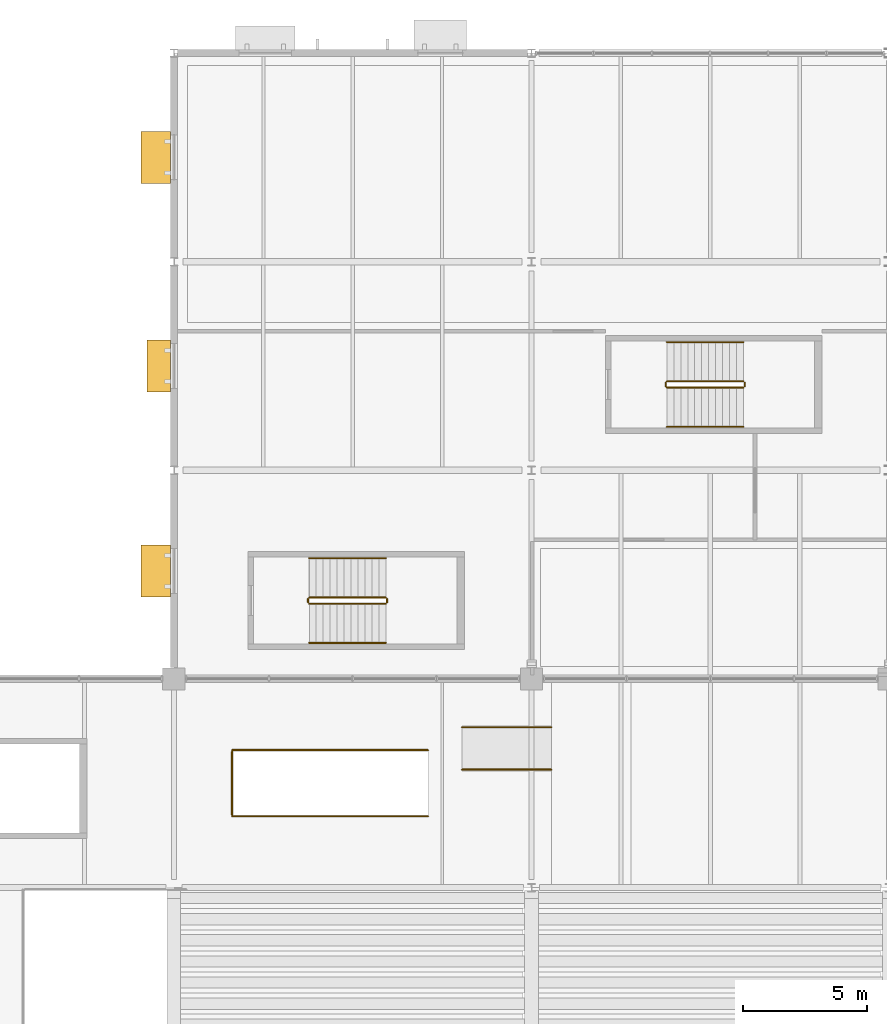
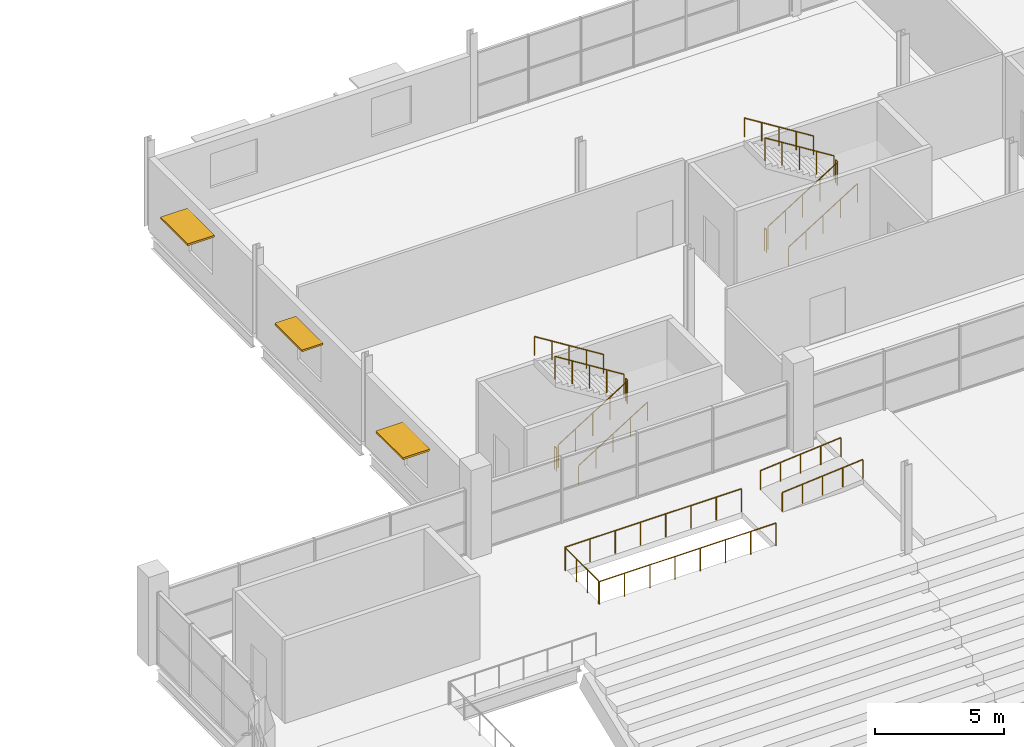
# One storey, part 154 of 161: 17 railings, 3 shading devices.
"""IFC4 building model written with IfcOpenShell, lengths in metres."""

from ifc_helpers import new_model, si_unit, direction, frame, origin, origin_2d, place, context, subcontext, project, spatial, rectangle, circle, extrude, material, layer, layer_set, type_object, element, save


model = new_model("IFC4")

# Units and contexts
model_context = context("Model", 3, precision=1e-05, world=origin(), true_north=direction((0.0, 1.0)))
body_context = subcontext(model_context, "Body", "Model", "MODEL_VIEW")
ifc_project = project(units=[si_unit("LENGTHUNIT", "METRE"), si_unit("AREAUNIT", "SQUARE_METRE"), si_unit("VOLUMEUNIT", "CUBIC_METRE"), si_unit("PLANEANGLEUNIT", "RADIAN"), si_unit("MASSUNIT", "GRAM", prefix="KILO"), si_unit("THERMODYNAMICTEMPERATUREUNIT", "KELVIN")], contexts=[model_context])

# Site, building, storey
site_placement = place(None, origin())
site = spatial("IfcSite", under=ifc_project, at=site_placement, CompositionType="ELEMENT")
building_placement = place(site_placement, origin())
building = spatial("IfcBuilding", under=site, at=building_placement, Name="Nduvali Passage Aquatics Centre", CompositionType="ELEMENT")
storey_placement = place(building_placement, frame((0.0, 0.0, 4.800048828125)))
storey = spatial("IfcBuildingStorey", under=building, at=storey_placement, Name="L01", CompositionType="ELEMENT", Elevation=4.800048828125)

# Shading devices
ifc_material_1 = material(Name="Aluminium EN AW-6063 T6", Category="aluminium")
ifc_layer_1 = layer(ifc_material_1, 0.090087890625, Name="Aluminium EN AW-6063 T6")
ifc_layer_set_1 = layer_set([ifc_layer_1], Name="Aluminium EN AW-6063 T6")
shading_device_type_1 = type_object("IfcShadingDeviceType", Name="ENV-SHD-SUN1", PredefinedType="AWNING", material=ifc_layer_set_1)
for number, where, z_axis, x_axis, name in (
    (1, (38.8701171875, 96.74462890625, 2.7548828125), (0.0, 0.0, 1.0), (0.0, -1.0, 0.0), "L01 Horizontal Monsoon Sunshade 0099"),
    (2, (38.8701171875, 113.399658203125, 2.7548828125), (0.0, 0.0, 1.0), (0.0, -1.0, 0.0), "L01 Horizontal Monsoon Sunshade 0101"),
):
    element("IfcShadingDevice", number, at=place(storey_placement, frame(where, z_axis=z_axis, x_axis=x_axis)), inside=storey, type_object=shading_device_type_1, Name=name, PredefinedType="AWNING", context=body_context, shape_type="SweptSolid", body=[
        extrude(rectangle(XDim=2.10009765625, YDim=1.199951171875, at=origin_2d()), origin(), (0.0, 0.0, 1.0), 0.090087890625),
    ])
ifc_layer_2 = layer(ifc_material_1, 0.080078125, Name="Aluminium EN AW-6063 T6")
ifc_layer_set_2 = layer_set([ifc_layer_2], Name="Aluminium EN AW-6063 T6")
shading_device_type_2 = type_object("IfcShadingDeviceType", Name="ENV-SHD-SUN2", PredefinedType="AWNING", material=ifc_layer_set_2)
shading_device_placement = place(storey_placement, frame((38.9951171875, 104.999755859375, 2.760009765625), z_axis=(0.0, 0.0, 1.0), x_axis=(0.0, -1.0, 0.0)))
element("IfcShadingDevice", 3, at=shading_device_placement, inside=storey, type_object=shading_device_type_2, Name="L01 Horizontal Monsoon Sunshade 0100", PredefinedType="AWNING", context=body_context, shape_type="SweptSolid", body=[
    extrude(rectangle(XDim=2.10009765625, YDim=0.949951171875, at=origin_2d()), origin(), (0.0, 0.0, 1.0), 0.080078125),
])

# Railings
ifc_material_2 = material(Name="Stainless steel balustrade", Category="steel")
railing_type_1 = type_object("IfcRailingType", Name="INT-RLG-GRD110", PredefinedType="GUARDRAIL", material=ifc_material_2)
railing_1_placement = place(storey_placement, frame((59.449951171875, 104.1298828125, 0.175048828125)))
element("IfcRailing", 4, at=railing_1_placement, inside=storey, type_object=railing_type_1, Name="L01 ST3 stair guard 1", PredefinedType="GUARDRAIL", context=body_context, shape_type="SweptSolid", body=[
    extrude(circle(Radius=0.02392578125, at=origin_2d()), frame((0.0, 0.0, 1.076171875), z_axis=(0.848028513186, 0.0, 0.529950602248), x_axis=(0.0, 1.0, 0.0)), (0.0, 0.0, 1.0), 3.632080078125),
    extrude(circle(Radius=0.02099609375, at=origin_2d()), origin(), (0.0, 0.0, 1.0), 1.052001953125),
    extrude(circle(Radius=0.02099609375, at=origin_2d()), frame((0.77001953125, 0.0, 0.481201171875)), (0.0, 0.0, 1.0), 1.052001953125),
    extrude(circle(Radius=0.02099609375, at=origin_2d()), frame((1.5400390625, 0.0, 0.96240234375)), (0.0, 0.0, 1.0), 1.052001953125),
    extrude(circle(Radius=0.02099609375, at=origin_2d()), frame((2.31005859375, 0.0, 1.443603515625)), (0.0, 0.0, 1.0), 1.052001953125),
    extrude(circle(Radius=0.02099609375, at=origin_2d()), frame((3.080078125, 0.0, 1.9248046875)), (0.0, 0.0, 1.0), 1.052001953125),
])
railing_2_placement = place(storey_placement, frame((62.580078125, 104.179931640625, 2.099853515625)))
element("IfcRailing", 5, at=railing_2_placement, inside=storey, type_object=railing_type_1, Name="L01 ST3 stair guard 2", PredefinedType="GUARDRAIL", context=body_context, shape_type="SweptSolid", body=[
    extrude(circle(Radius=0.02392578125, at=origin_2d()), frame((0.0, 0.0, 1.076171875), z_axis=(0.0, 1.0, 0.0), x_axis=(-1.0, 0.0, 0.0)), (0.0, 0.0, 1.0), 0.150146484375),
    extrude(circle(Radius=0.02099609375, at=origin_2d()), origin(), (0.0, 0.0, 1.0), 1.052001953125),
    extrude(circle(Radius=0.02099609375, at=origin_2d()), frame((0.0, 0.150146484375, 0.0)), (0.0, 0.0, 1.0), 1.052001953125),
])
railing_3_placement = place(storey_placement, frame((62.530029296875, 104.3798828125, 2.27490234375)))
element("IfcRailing", 6, at=railing_3_placement, inside=storey, type_object=railing_type_1, Name="L01 ST3 stair guard 3", PredefinedType="GUARDRAIL", context=body_context, shape_type="SweptSolid", body=[
    extrude(circle(Radius=0.02392578125, at=origin_2d()), frame((0.0, 0.0, 1.076171875), z_axis=(-0.847998304005, 0.0, 0.529998940003), x_axis=(0.0, -1.0, 0.0)), (0.0, 0.0, 1.0), 3.632080078125),
    extrude(circle(Radius=0.02099609375, at=origin_2d()), origin(), (0.0, 0.0, 1.0), 1.052001953125),
    extrude(circle(Radius=0.02099609375, at=origin_2d()), frame((-0.77001953125, 0.0, 0.481201171875)), (0.0, 0.0, 1.0), 1.052001953125),
    extrude(circle(Radius=0.02099609375, at=origin_2d()), frame((-1.5400390625, 0.0, 0.96240234375)), (0.0, 0.0, 1.0), 1.052001953125),
    extrude(circle(Radius=0.02099609375, at=origin_2d()), frame((-2.31005859375, 0.0, 1.44384765625)), (0.0, 0.0, 1.0), 1.052001953125),
    extrude(circle(Radius=0.02099609375, at=origin_2d()), frame((-3.080078125, 0.0, 1.925048828125)), (0.0, 0.0, 1.0), 1.052001953125),
])
railing_4_placement = place(storey_placement, frame((59.39990234375, 104.179931640625, 0.0)))
element("IfcRailing", 7, at=railing_4_placement, inside=storey, type_object=railing_type_1, Name="L01 ST3 stair guard 4", PredefinedType="GUARDRAIL", context=body_context, shape_type="SweptSolid", body=[
    extrude(circle(Radius=0.02392578125, at=origin_2d()), frame((0.0, 0.0, 1.076171875), z_axis=(0.0, 1.0, 0.0), x_axis=(-1.0, 0.0, 0.0)), (0.0, 0.0, 1.0), 0.150146484375),
    extrude(circle(Radius=0.02099609375, at=origin_2d()), origin(), (0.0, 0.0, 1.0), 1.052001953125),
    extrude(circle(Radius=0.02099609375, at=origin_2d()), frame((0.0, 0.150146484375, 0.0)), (0.0, 0.0, 1.0), 1.052001953125),
])
railing_5_placement = place(storey_placement, frame((45.050048828125, 95.429931640625, 0.175048828125)))
element("IfcRailing", 8, at=railing_5_placement, inside=storey, type_object=railing_type_1, Name="L01 ST4 stair guard 1", PredefinedType="GUARDRAIL", context=body_context, shape_type="SweptSolid", body=[
    extrude(circle(Radius=0.02392578125, at=origin_2d()), frame((0.0, 0.0, 1.076171875), z_axis=(0.848009633417, 0.0, 0.529980812513), x_axis=(0.0, 1.0, 0.0)), (0.0, 0.0, 1.0), 3.6318359375),
    extrude(circle(Radius=0.02099609375, at=origin_2d()), origin(), (0.0, 0.0, 1.0), 1.052001953125),
    extrude(circle(Radius=0.02099609375, at=origin_2d()), frame((0.77001953125, 0.0, 0.481201171875)), (0.0, 0.0, 1.0), 1.052001953125),
    extrude(circle(Radius=0.02099609375, at=origin_2d()), frame((1.5400390625, 0.0, 0.96240234375)), (0.0, 0.0, 1.0), 1.052001953125),
    extrude(circle(Radius=0.02099609375, at=origin_2d()), frame((2.309814453125, 0.0, 1.443603515625)), (0.0, 0.0, 1.0), 1.052001953125),
    extrude(circle(Radius=0.02099609375, at=origin_2d()), frame((3.079833984375, 0.0, 1.9248046875)), (0.0, 0.0, 1.0), 1.052001953125),
])
railing_6_placement = place(storey_placement, frame((48.179931640625, 95.47998046875, 2.099853515625)))
element("IfcRailing", 9, at=railing_6_placement, inside=storey, type_object=railing_type_1, Name="L01 ST4 stair guard 2", PredefinedType="GUARDRAIL", context=body_context, shape_type="SweptSolid", body=[
    extrude(circle(Radius=0.02392578125, at=origin_2d()), frame((0.0, 0.0, 1.076171875), z_axis=(0.0, 1.0, 0.0), x_axis=(-1.0, 0.0, 0.0)), (0.0, 0.0, 1.0), 0.14990234375),
    extrude(circle(Radius=0.02099609375, at=origin_2d()), origin(), (0.0, 0.0, 1.0), 1.052001953125),
    extrude(circle(Radius=0.02099609375, at=origin_2d()), frame((0.0, 0.14990234375, 0.0)), (0.0, 0.0, 1.0), 1.052001953125),
])
railing_7_placement = place(storey_placement, frame((48.1298828125, 95.679931640625, 2.27490234375)))
element("IfcRailing", 10, at=railing_7_placement, inside=storey, type_object=railing_type_1, Name="L01 ST4 stair guard 3", PredefinedType="GUARDRAIL", context=body_context, shape_type="SweptSolid", body=[
    extrude(circle(Radius=0.02392578125, at=origin_2d()), frame((0.0, 0.0, 1.076171875), z_axis=(-0.847979421464, 0.0, 0.530029150871), x_axis=(0.0, -1.0, 0.0)), (0.0, 0.0, 1.0), 3.632080078125),
    extrude(circle(Radius=0.02099609375, at=origin_2d()), origin(), (0.0, 0.0, 1.0), 1.052001953125),
    extrude(circle(Radius=0.02099609375, at=origin_2d()), frame((-0.77001953125, 0.0, 0.481201171875)), (0.0, 0.0, 1.0), 1.052001953125),
    extrude(circle(Radius=0.02099609375, at=origin_2d()), frame((-1.5400390625, 0.0, 0.96240234375)), (0.0, 0.0, 1.0), 1.052001953125),
    extrude(circle(Radius=0.02099609375, at=origin_2d()), frame((-2.309814453125, 0.0, 1.44384765625)), (0.0, 0.0, 1.0), 1.052001953125),
    extrude(circle(Radius=0.02099609375, at=origin_2d()), frame((-3.079833984375, 0.0, 1.925048828125)), (0.0, 0.0, 1.0), 1.052001953125),
])
railing_8_placement = place(storey_placement, frame((45.0, 95.47998046875, 0.0)))
element("IfcRailing", 11, at=railing_8_placement, inside=storey, type_object=railing_type_1, Name="L01 ST4 stair guard 4", PredefinedType="GUARDRAIL", context=body_context, shape_type="SweptSolid", body=[
    extrude(circle(Radius=0.02392578125, at=origin_2d()), frame((0.0, 0.0, 1.076171875), z_axis=(0.0, 1.0, 0.0), x_axis=(-1.0, 0.0, 0.0)), (0.0, 0.0, 1.0), 0.14990234375),
    extrude(circle(Radius=0.02099609375, at=origin_2d()), origin(), (0.0, 0.0, 1.0), 1.052001953125),
    extrude(circle(Radius=0.02099609375, at=origin_2d()), frame((0.0, 0.14990234375, 0.0)), (0.0, 0.0, 1.0), 1.052001953125),
])
railing_9_placement = place(storey_placement, frame((41.93994140625, 86.925048828125, 0.0)))
element("IfcRailing", 12, at=railing_9_placement, inside=storey, type_object=railing_type_1, Name="L01 Vomitory VST4 Well West Guardrail", PredefinedType="GUARDRAIL", context=body_context, shape_type="SweptSolid", body=[
    extrude(circle(Radius=0.02392578125, at=origin_2d()), frame((0.0, 0.0, 1.076171875), z_axis=(0.0, 1.0, 0.0), x_axis=(-1.0, 0.0, 0.0)), (0.0, 0.0, 1.0), 2.550048828125),
    extrude(circle(Radius=0.02099609375, at=origin_2d()), origin(), (0.0, 0.0, 1.0), 1.052001953125),
    extrude(circle(Radius=0.02099609375, at=origin_2d()), frame((0.0, 0.85009765625, 0.0)), (0.0, 0.0, 1.0), 1.052001953125),
    extrude(circle(Radius=0.02099609375, at=origin_2d()), frame((0.0, 1.699951171875, 0.0)), (0.0, 0.0, 1.0), 1.052001953125),
    extrude(circle(Radius=0.02099609375, at=origin_2d()), frame((0.0, 2.550048828125, 0.0)), (0.0, 0.0, 1.0), 1.052001953125),
])
for number, where, name in (
    (13, (41.93994140625, 86.864990234375, 0.0), "L01 Vomitory VST4 Well S Guardrail"),
    (14, (41.93994140625, 89.534912109375, 0.0), "L01 Vomitory VST4 Well N Guardrail"),
):
    element("IfcRailing", number, at=place(storey_placement, frame(where)), inside=storey, type_object=railing_type_1, Name=name, PredefinedType="GUARDRAIL", context=body_context, shape_type="SweptSolid", body=[
        extrude(circle(Radius=0.02392578125, at=origin_2d()), frame((0.0, 0.0, 1.076171875), z_axis=(1.0, 0.0, 0.0), x_axis=(0.0, 1.0, 0.0)), (0.0, 0.0, 1.0), 7.89013671875),
        extrude(circle(Radius=0.02099609375, at=origin_2d()), origin(), (0.0, 0.0, 1.0), 1.052001953125),
        extrude(circle(Radius=0.02099609375, at=origin_2d()), frame((1.127197265625, 0.0, 0.0)), (0.0, 0.0, 1.0), 1.052001953125),
        extrude(circle(Radius=0.02099609375, at=origin_2d()), frame((2.25439453125, 0.0, 0.0)), (0.0, 0.0, 1.0), 1.052001953125),
        extrude(circle(Radius=0.02099609375, at=origin_2d()), frame((3.381591796875, 0.0, 0.0)), (0.0, 0.0, 1.0), 1.052001953125),
        extrude(circle(Radius=0.02099609375, at=origin_2d()), frame((4.508544921875, 0.0, 0.0)), (0.0, 0.0, 1.0), 1.052001953125),
        extrude(circle(Radius=0.02099609375, at=origin_2d()), frame((5.6357421875, 0.0, 0.0)), (0.0, 0.0, 1.0), 1.052001953125),
        extrude(circle(Radius=0.02099609375, at=origin_2d()), frame((6.762939453125, 0.0, 0.0)), (0.0, 0.0, 1.0), 1.052001953125),
        extrude(circle(Radius=0.02099609375, at=origin_2d()), frame((7.89013671875, 0.0, 0.0)), (0.0, 0.0, 1.0), 1.052001953125),
    ])
railing_type_2 = type_object("IfcRailingType", Name="INT-RLG-HND90", PredefinedType="HANDRAIL", material=ifc_material_2)
railing_10_placement = place(storey_placement, frame((59.449951171875, 102.550048828125, 0.353515625)))
element("IfcRailing", 15, at=railing_10_placement, inside=storey, type_object=railing_type_2, Name="L01 ST3 stair handrail 1", PredefinedType="HANDRAIL", context=body_context, shape_type="SweptSolid", body=[
    extrude(circle(Radius=0.02392578125, at=origin_2d()), frame((0.0, 0.0, 0.8759765625), z_axis=(0.847998304005, 0.0, 0.529998940003), x_axis=(0.0, 1.0, 0.0)), (0.0, 0.0, 1.0), 3.632080078125),
    extrude(circle(Radius=0.02099609375, at=origin_2d()), origin(), (0.0, 0.0, 1.0), 0.851806640625),
    extrude(circle(Radius=0.02099609375, at=origin_2d()), frame((0.77001953125, 0.0, 0.481201171875)), (0.0, 0.0, 1.0), 0.851806640625),
    extrude(circle(Radius=0.02099609375, at=origin_2d()), frame((1.5400390625, 0.0, 0.96240234375)), (0.0, 0.0, 1.0), 0.851806640625),
    extrude(circle(Radius=0.02099609375, at=origin_2d()), frame((2.31005859375, 0.0, 1.44384765625)), (0.0, 0.0, 1.0), 0.851806640625),
    extrude(circle(Radius=0.02099609375, at=origin_2d()), frame((3.080078125, 0.0, 1.925048828125)), (0.0, 0.0, 1.0), 0.851806640625),
])
railing_11_placement = place(storey_placement, frame((62.530029296875, 105.9599609375, 2.45361328125)))
element("IfcRailing", 16, at=railing_11_placement, inside=storey, type_object=railing_type_2, Name="L01 ST3 stair handrail 2", PredefinedType="HANDRAIL", context=body_context, shape_type="SweptSolid", body=[
    extrude(circle(Radius=0.02392578125, at=origin_2d()), frame((0.0, 0.0, 0.8759765625), z_axis=(-0.847998304005, 0.0, 0.529998940003), x_axis=(0.0, -1.0, 0.0)), (0.0, 0.0, 1.0), 3.632080078125),
    extrude(circle(Radius=0.02099609375, at=origin_2d()), origin(), (0.0, 0.0, 1.0), 0.851806640625),
    extrude(circle(Radius=0.02099609375, at=origin_2d()), frame((-0.77001953125, 0.0, 0.481201171875)), (0.0, 0.0, 1.0), 0.851806640625),
    extrude(circle(Radius=0.02099609375, at=origin_2d()), frame((-1.5400390625, 0.0, 0.96240234375)), (0.0, 0.0, 1.0), 0.851806640625),
    extrude(circle(Radius=0.02099609375, at=origin_2d()), frame((-2.31005859375, 0.0, 1.44384765625)), (0.0, 0.0, 1.0), 0.851806640625),
    extrude(circle(Radius=0.02099609375, at=origin_2d()), frame((-3.080078125, 0.0, 1.925048828125)), (0.0, 0.0, 1.0), 0.851806640625),
])
railing_12_placement = place(storey_placement, frame((45.050048828125, 93.85009765625, 0.353515625)))
element("IfcRailing", 17, at=railing_12_placement, inside=storey, type_object=railing_type_2, Name="L01 ST4 stair handrail 1", PredefinedType="HANDRAIL", context=body_context, shape_type="SweptSolid", body=[
    extrude(circle(Radius=0.02392578125, at=origin_2d()), frame((0.0, 0.0, 0.8759765625), z_axis=(0.847979421464, 0.0, 0.530029150871), x_axis=(0.0, 1.0, 0.0)), (0.0, 0.0, 1.0), 3.632080078125),
    extrude(circle(Radius=0.02099609375, at=origin_2d()), origin(), (0.0, 0.0, 1.0), 0.851806640625),
    extrude(circle(Radius=0.02099609375, at=origin_2d()), frame((0.77001953125, 0.0, 0.481201171875)), (0.0, 0.0, 1.0), 0.851806640625),
    extrude(circle(Radius=0.02099609375, at=origin_2d()), frame((1.5400390625, 0.0, 0.96240234375)), (0.0, 0.0, 1.0), 0.851806640625),
    extrude(circle(Radius=0.02099609375, at=origin_2d()), frame((2.309814453125, 0.0, 1.44384765625)), (0.0, 0.0, 1.0), 0.851806640625),
    extrude(circle(Radius=0.02099609375, at=origin_2d()), frame((3.079833984375, 0.0, 1.925048828125)), (0.0, 0.0, 1.0), 0.851806640625),
])
railing_13_placement = place(storey_placement, frame((48.1298828125, 97.260009765625, 2.45361328125)))
element("IfcRailing", 18, at=railing_13_placement, inside=storey, type_object=railing_type_2, Name="L01 ST4 stair handrail 2", PredefinedType="HANDRAIL", context=body_context, shape_type="SweptSolid", body=[
    extrude(circle(Radius=0.02392578125, at=origin_2d()), frame((0.0, 0.0, 0.8759765625), z_axis=(-0.847979421464, 0.0, 0.530029150871), x_axis=(0.0, -1.0, 0.0)), (0.0, 0.0, 1.0), 3.632080078125),
    extrude(circle(Radius=0.02099609375, at=origin_2d()), origin(), (0.0, 0.0, 1.0), 0.851806640625),
    extrude(circle(Radius=0.02099609375, at=origin_2d()), frame((-0.77001953125, 0.0, 0.481201171875)), (0.0, 0.0, 1.0), 0.851806640625),
    extrude(circle(Radius=0.02099609375, at=origin_2d()), frame((-1.5400390625, 0.0, 0.96240234375)), (0.0, 0.0, 1.0), 0.851806640625),
    extrude(circle(Radius=0.02099609375, at=origin_2d()), frame((-2.309814453125, 0.0, 1.44384765625)), (0.0, 0.0, 1.0), 0.851806640625),
    extrude(circle(Radius=0.02099609375, at=origin_2d()), frame((-3.079833984375, 0.0, 1.925048828125)), (0.0, 0.0, 1.0), 0.851806640625),
])
for number, where, name in (
    (19, (51.199951171875, 88.75, 0.0), "North Stand West Wheelchair Viewing Platform Ramp PR4 Handrail 1"),
    (20, (51.199951171875, 90.449951171875, 0.0), "North Stand West Wheelchair Viewing Platform Ramp PR4 Handrail 2"),
):
    element("IfcRailing", number, at=place(storey_placement, frame(where)), inside=storey, type_object=railing_type_2, Name=name, PredefinedType="HANDRAIL", context=body_context, shape_type="SweptSolid", body=[
        extrude(circle(Radius=0.02392578125, at=origin_2d()), frame((0.0, 0.0, 0.89599609375), z_axis=(0.996544826035, 0.0, 0.083056665618), x_axis=(0.0, 1.0, 0.0)), (0.0, 0.0, 1.0), 3.612548828125),
        extrude(circle(Radius=0.02099609375, at=origin_2d()), origin(), (0.0, 0.0, 1.0), 0.871826171875),
        extrude(circle(Radius=0.02099609375, at=origin_2d()), frame((0.89990234375, 0.0, 0.074951171875)), (0.0, 0.0, 1.0), 0.871826171875),
        extrude(circle(Radius=0.02099609375, at=origin_2d()), frame((1.800048828125, 0.0, 0.14990234375)), (0.0, 0.0, 1.0), 0.871826171875),
        extrude(circle(Radius=0.02099609375, at=origin_2d()), frame((2.7001953125, 0.0, 0.22509765625)), (0.0, 0.0, 1.0), 0.871826171875),
        extrude(circle(Radius=0.02099609375, at=origin_2d()), frame((3.60009765625, 0.0, 0.300048828125)), (0.0, 0.0, 1.0), 0.871826171875),
    ])

save(model, "model.ifc")
